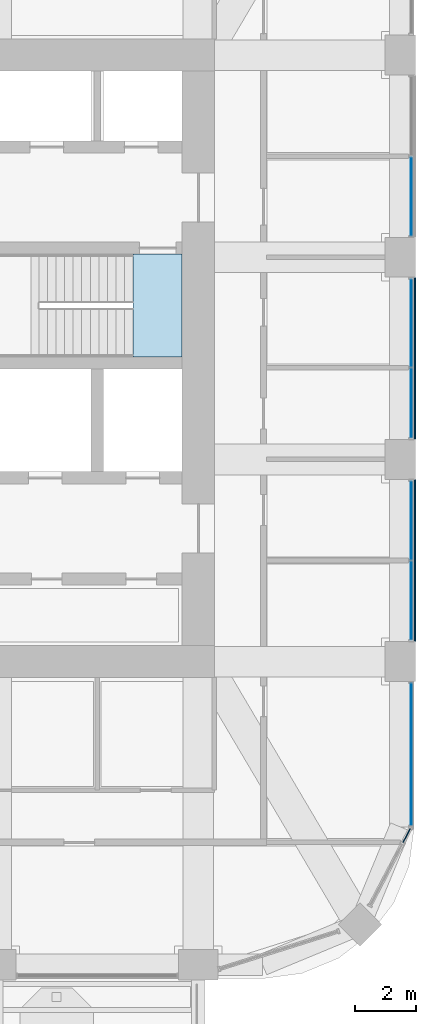
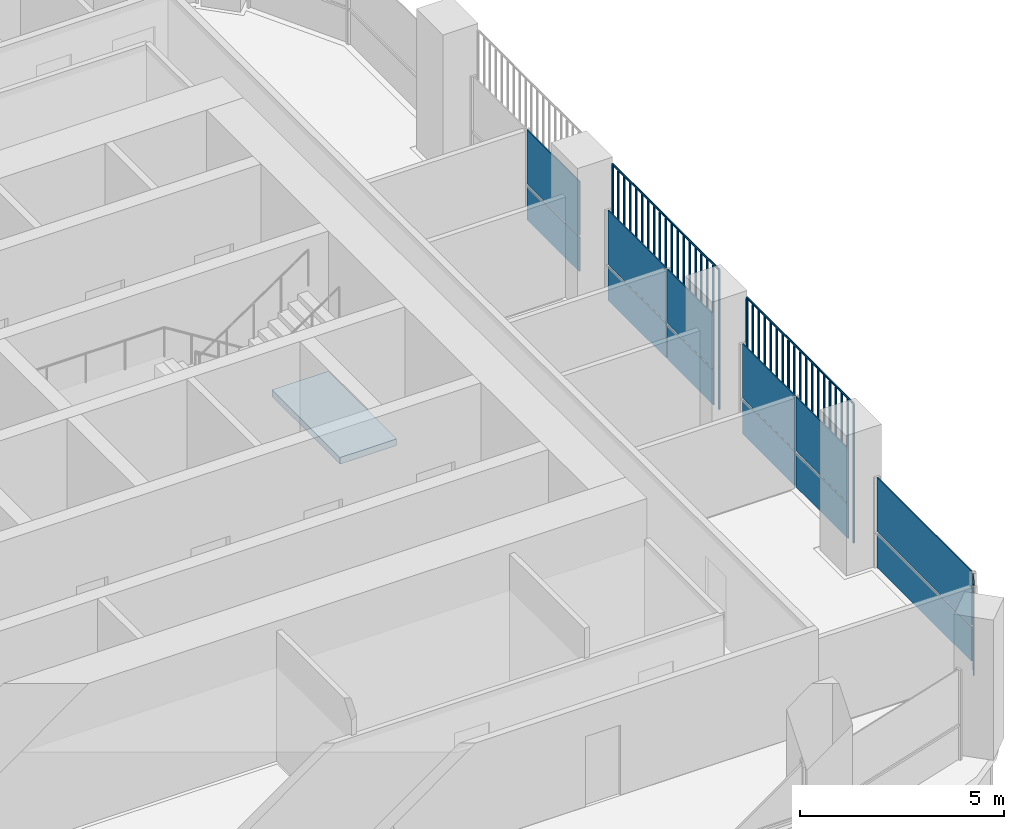
# One storey, part 11 of 21: 16 plates, 1 slab, 6 elements without a shape of their own.
"""IFC4 building model written with IfcOpenShell, lengths in metres."""

from ifc_helpers import new_model, si_unit, direction, frame, origin, origin_2d, place, context, subcontext, project, spatial, polyline, rectangle, outline, extrude, material, layer, layer_set, type_object, element, aggregate, save


model = new_model("IFC4")

# Units and contexts
model_context = context("Model", 3, precision=1e-05, world=origin(), true_north=direction((0.0, 1.0)))
body_context = subcontext(model_context, "Body", "Model", "MODEL_VIEW")
ifc_project = project(units=[si_unit("LENGTHUNIT", "METRE"), si_unit("AREAUNIT", "SQUARE_METRE"), si_unit("VOLUMEUNIT", "CUBIC_METRE"), si_unit("PLANEANGLEUNIT", "RADIAN"), si_unit("MASSUNIT", "GRAM", prefix="KILO")], contexts=[model_context])

# Site, building, storey
site_placement = place(None, origin())
site = spatial("IfcSite", under=ifc_project, at=site_placement, CompositionType="ELEMENT")
building_placement = place(site_placement, origin())
building = spatial("IfcBuilding", under=site, at=building_placement, Name="Cobogo Forest Laboratory Tower", CompositionType="ELEMENT")
storey_placement = place(building_placement, frame((0.0, 0.0, 250.199951171875)))
storey = spatial("IfcBuildingStorey", under=building, at=storey_placement, Name="L57", CompositionType="ELEMENT", Elevation=250.199951171875)

# Curtain wall, plates
ifc_material_1 = material(Name="Aluminium curtain wall", Category="aluminium")
curtain_wall_type = type_object("IfcCurtainWallType", Name="CW-2 unitised curtain wall, solar control glazing, laboratory floors zones C and D", PredefinedType="USERDEFINED", material=ifc_material_1)
curtain_wall_1_placement = place(storey_placement, origin())
curtain_wall_1 = element("IfcCurtainWall", 1, at=curtain_wall_1_placement, inside=storey, type_object=curtain_wall_type, Name="Curtain wall 06 L57", ObjectType="UNITISED CURTAIN WALL", PredefinedType="USERDEFINED")
ifc_material_2 = material(Name="Solar control insulated glass", Category="glass")
ifc_layer_1 = layer(ifc_material_2, 0.031982421875)
ifc_layer_set_1 = layer_set([ifc_layer_1], Name="GP-2 solar control glass unit 32")
plate_type_1 = type_object("IfcPlateType", Name="GP-2 solar control glass unit 32", PredefinedType="CURTAIN_PANEL", material=ifc_layer_set_1)
plate_1_placement = place(storey_placement, frame((46.40234375, 7.51806640625, 0.0), z_axis=(0.0, 0.0, 1.0), x_axis=(0.464283791352, 0.885686491422, 0.0)))
plate_1 = element("IfcPlate", 2, at=plate_1_placement, type_object=plate_type_1, Name="CW-2 panel 2.1", PredefinedType="CURTAIN_PANEL", context=body_context, shape_type="SweptSolid", body=[
    extrude(rectangle(XDim=0.516357421875, YDim=0.031982421875, at=origin_2d()), origin(), (0.0, 0.0, 1.0), 1.02001953125),
])
plate_2_placement = place(storey_placement, frame((46.40234375, 7.51806640625, 1.080078125), z_axis=(0.0, 0.0, 1.0), x_axis=(0.464283791352, 0.885686491422, 0.0)))
plate_2 = element("IfcPlate", 3, at=plate_2_placement, type_object=plate_type_1, Name="CW-2 panel 2.2", PredefinedType="CURTAIN_PANEL", context=body_context, shape_type="SweptSolid", body=[
    extrude(rectangle(XDim=0.516357421875, YDim=0.031982421875, at=origin_2d()), origin(), (0.0, 0.0, 1.0), 1.6201171875),
])
aggregate(curtain_wall_1, [plate_1, plate_2])

curtain_wall_2_placement = place(storey_placement, origin())
curtain_wall_2 = element("IfcCurtainWall", 4, at=curtain_wall_2_placement, inside=storey, type_object=curtain_wall_type, Name="Curtain wall 07 L57", ObjectType="UNITISED CURTAIN WALL", PredefinedType="USERDEFINED")
plate_3_placement = place(storey_placement, frame((46.550048828125, 10.175048828125, 0.0), z_axis=(0.0, 0.0, 1.0), x_axis=(0.0, 1.0, 0.0)))
plate_3 = element("IfcPlate", 5, at=plate_3_placement, type_object=plate_type_1, Name="CW-2 panel 1.1", PredefinedType="CURTAIN_PANEL", context=body_context, shape_type="SweptSolid", body=[
    extrude(rectangle(XDim=4.6298828125, YDim=0.031982421875, at=origin_2d()), origin(), (0.0, 0.0, 1.0), 1.02001953125),
])
plate_4_placement = place(storey_placement, frame((46.550048828125, 10.175048828125, 1.080078125), z_axis=(0.0, 0.0, 1.0), x_axis=(0.0, 1.0, 0.0)))
plate_4 = element("IfcPlate", 6, at=plate_4_placement, type_object=plate_type_1, Name="CW-2 panel 1.2", PredefinedType="CURTAIN_PANEL", context=body_context, shape_type="SweptSolid", body=[
    extrude(rectangle(XDim=4.6298828125, YDim=0.031982421875, at=origin_2d()), origin(), (0.0, 0.0, 1.0), 1.6201171875),
])
aggregate(curtain_wall_2, [plate_3, plate_4])

curtain_wall_3_placement = place(storey_placement, origin())
curtain_wall_3 = element("IfcCurtainWall", 7, at=curtain_wall_3_placement, inside=storey, type_object=curtain_wall_type, Name="Curtain wall 08 L57", ObjectType="UNITISED CURTAIN WALL", PredefinedType="USERDEFINED")
plate_5_placement = place(storey_placement, frame((46.550048828125, 15.18994140625, 0.0), z_axis=(0.0, 0.0, 1.0), x_axis=(0.0, 1.0, 0.0)))
plate_5 = element("IfcPlate", 8, at=plate_5_placement, type_object=plate_type_1, Name="CW-2 panel 1.1", PredefinedType="CURTAIN_PANEL", context=body_context, shape_type="SweptSolid", body=[
    extrude(rectangle(XDim=2.56005859375, YDim=0.031982421875, at=origin_2d()), origin(), (0.0, 0.0, 1.0), 1.02001953125),
])
plate_6_placement = place(storey_placement, frame((46.550048828125, 15.18994140625, 1.080078125), z_axis=(0.0, 0.0, 1.0), x_axis=(0.0, 1.0, 0.0)))
plate_6 = element("IfcPlate", 9, at=plate_6_placement, type_object=plate_type_1, Name="CW-2 panel 1.2", PredefinedType="CURTAIN_PANEL", context=body_context, shape_type="SweptSolid", body=[
    extrude(rectangle(XDim=2.56005859375, YDim=0.031982421875, at=origin_2d()), origin(), (0.0, 0.0, 1.0), 1.6201171875),
])
plate_7_placement = place(storey_placement, frame((46.550048828125, 17.81005859375, 0.0), z_axis=(0.0, 0.0, 1.0), x_axis=(0.0, 1.0, 0.0)))
plate_7 = element("IfcPlate", 10, at=plate_7_placement, type_object=plate_type_1, Name="CW-2 panel 2.1", PredefinedType="CURTAIN_PANEL", context=body_context, shape_type="SweptSolid", body=[
    extrude(rectangle(XDim=2.56005859375, YDim=0.031982421875, at=origin_2d()), origin(), (0.0, 0.0, 1.0), 1.02001953125),
])
plate_8_placement = place(storey_placement, frame((46.550048828125, 17.81005859375, 1.080078125), z_axis=(0.0, 0.0, 1.0), x_axis=(0.0, 1.0, 0.0)))
plate_8 = element("IfcPlate", 11, at=plate_8_placement, type_object=plate_type_1, Name="CW-2 panel 2.2", PredefinedType="CURTAIN_PANEL", context=body_context, shape_type="SweptSolid", body=[
    extrude(rectangle(XDim=2.56005859375, YDim=0.031982421875, at=origin_2d()), origin(), (0.0, 0.0, 1.0), 1.6201171875),
])
aggregate(curtain_wall_3, [plate_5, plate_6, plate_7, plate_8])

curtain_wall_4_placement = place(storey_placement, origin())
curtain_wall_4 = element("IfcCurtainWall", 12, at=curtain_wall_4_placement, inside=storey, type_object=curtain_wall_type, Name="Curtain wall 09 L57", ObjectType="UNITISED CURTAIN WALL", PredefinedType="USERDEFINED")
plate_9_placement = place(storey_placement, frame((46.550048828125, 21.639892578125, 0.0), z_axis=(0.0, 0.0, 1.0), x_axis=(0.0, 1.0, 0.0)))
plate_9 = element("IfcPlate", 13, at=plate_9_placement, type_object=plate_type_1, Name="CW-2 panel 1.1", PredefinedType="CURTAIN_PANEL", context=body_context, shape_type="SweptSolid", body=[
    extrude(rectangle(XDim=2.260009765625, YDim=0.031982421875, at=origin_2d()), origin(), (0.0, 0.0, 1.0), 1.02001953125),
])
plate_10_placement = place(storey_placement, frame((46.550048828125, 21.639892578125, 1.080078125), z_axis=(0.0, 0.0, 1.0), x_axis=(0.0, 1.0, 0.0)))
plate_10 = element("IfcPlate", 14, at=plate_10_placement, type_object=plate_type_1, Name="CW-2 panel 1.2", PredefinedType="CURTAIN_PANEL", context=body_context, shape_type="SweptSolid", body=[
    extrude(rectangle(XDim=2.260009765625, YDim=0.031982421875, at=origin_2d()), origin(), (0.0, 0.0, 1.0), 1.6201171875),
])
plate_11_placement = place(storey_placement, frame((46.550048828125, 24.260009765625, 0.0), z_axis=(0.0, 0.0, 1.0), x_axis=(0.0, 1.0, 0.0)))
plate_11 = element("IfcPlate", 15, at=plate_11_placement, type_object=plate_type_1, Name="CW-2 panel 2.1", PredefinedType="CURTAIN_PANEL", context=body_context, shape_type="SweptSolid", body=[
    extrude(rectangle(XDim=2.860107421875, YDim=0.031982421875, at=origin_2d()), origin(), (0.0, 0.0, 1.0), 1.02001953125),
])
plate_12_placement = place(storey_placement, frame((46.550048828125, 24.260009765625, 1.080078125), z_axis=(0.0, 0.0, 1.0), x_axis=(0.0, 1.0, 0.0)))
plate_12 = element("IfcPlate", 16, at=plate_12_placement, type_object=plate_type_1, Name="CW-2 panel 2.2", PredefinedType="CURTAIN_PANEL", context=body_context, shape_type="SweptSolid", body=[
    extrude(rectangle(XDim=2.860107421875, YDim=0.031982421875, at=origin_2d()), origin(), (0.0, 0.0, 1.0), 1.6201171875),
])
aggregate(curtain_wall_4, [plate_9, plate_10, plate_11, plate_12])

curtain_wall_5_placement = place(storey_placement, origin())
curtain_wall_5 = element("IfcCurtainWall", 17, at=curtain_wall_5_placement, inside=storey, type_object=curtain_wall_type, Name="Curtain wall 10 L57", ObjectType="UNITISED CURTAIN WALL", PredefinedType="USERDEFINED")
plate_13_placement = place(storey_placement, frame((46.550048828125, 28.389892578125, 0.0), z_axis=(0.0, 0.0, 1.0), x_axis=(0.0, 1.0, 0.0)))
plate_13 = element("IfcPlate", 18, at=plate_13_placement, type_object=plate_type_1, Name="CW-2 panel 1.1", PredefinedType="CURTAIN_PANEL", context=body_context, shape_type="SweptSolid", body=[
    extrude(rectangle(XDim=2.56005859375, YDim=0.031982421875, at=origin_2d()), origin(), (0.0, 0.0, 1.0), 1.02001953125),
])
plate_14_placement = place(storey_placement, frame((46.550048828125, 28.389892578125, 1.080078125), z_axis=(0.0, 0.0, 1.0), x_axis=(0.0, 1.0, 0.0)))
plate_14 = element("IfcPlate", 19, at=plate_14_placement, type_object=plate_type_1, Name="CW-2 panel 1.2", PredefinedType="CURTAIN_PANEL", context=body_context, shape_type="SweptSolid", body=[
    extrude(rectangle(XDim=2.56005859375, YDim=0.031982421875, at=origin_2d()), origin(), (0.0, 0.0, 1.0), 1.6201171875),
])
aggregate(curtain_wall_5, [plate_13, plate_14])

# Stair, slab
ifc_material_3 = material(Name="Precast concrete HA-40 (C40/50)", Category="concrete")
stair_type = type_object("IfcStairType", Name="ST24 exit stair 24 risers", PredefinedType="HALF_TURN_STAIR", material=ifc_material_3)
stair_placement = place(storey_placement, origin())
stair = element("IfcStair", 20, at=stair_placement, inside=storey, type_object=stair_type, Name="Stair 2 L57 to L58", PredefinedType="HALF_TURN_STAIR")
ifc_material_4 = material(Name="Concrete HA-40 (C40/50)", Category="concrete")
ifc_layer_2 = layer(ifc_material_4, 0.199951171875)
ifc_layer_set_2 = layer_set([ifc_layer_2], Name="SL stair landing 200")
slab_type = type_object("IfcSlabType", Name="SL stair landing 200", PredefinedType="LANDING", material=ifc_layer_set_2)
slab_placement = place(storey_placement, frame((0.0, 0.0, -0.199951171875)))
slab = element("IfcSlab", 21, at=slab_placement, type_object=slab_type, Name="ST2 landing 1", PredefinedType="LANDING", context=body_context, shape_type="SweptSolid", body=[
    extrude(outline(polyline([(37.472900390625, 23.14990234375), (39.074951171875, 23.14990234375), (39.074951171875, 26.5), (37.472900390625, 26.5), (37.472900390625, 23.14990234375)])), origin(), (0.0, 0.0, 1.0), 0.199951171875),
])
aggregate(stair, [slab])

# Plates
ifc_material_5 = material(Name="Terracotta", Category="masonry")
plate_type_2 = type_object("IfcPlateType", Name="TB1 terracotta baguette screen", PredefinedType="USERDEFINED", material=ifc_material_5)
plate_15_placement = place(storey_placement, frame((46.677978515625, 13.88134765625, -0.14990234375)))
element("IfcPlate", 22, at=plate_15_placement, inside=storey, type_object=plate_type_2, Name="Baguette screen E1 L57", ObjectType="BAGUETTE SCREEN", PredefinedType="USERDEFINED", context=body_context, shape_type="SweptSolid", body=[
    extrude(outline(polyline([(0.02880859375, 0.011962890625), (0.011962890625, 0.02880859375), (-0.011962890625, 0.02880859375), (-0.02880859375, 0.011962890625), (-0.02880859375, -0.011962890625), (-0.011962890625, -0.02880859375), (0.011962890625, -0.02880859375), (0.02880859375, -0.011962890625), (0.02880859375, 0.011962890625)])), frame((0.0, 0.0, 4.168701171875), z_axis=(0.0, 1.0, 0.0), x_axis=(-1.0, 0.0, 0.0)), (0.0, 0.0, 1.0), 5.2373046875),
    extrude(outline(polyline([(0.02880859375, 0.011962890625), (0.011962890625, 0.02880859375), (-0.011962890625, 0.02880859375), (-0.02880859375, 0.011962890625), (-0.02880859375, -0.011962890625), (-0.011962890625, -0.02880859375), (0.011962890625, -0.02880859375), (0.02880859375, -0.011962890625), (0.02880859375, 0.011962890625)])), origin(), (0.0, 0.0, 1.0), 4.137451171875),
    extrude(outline(polyline([(0.02880859375, 0.011962890625), (0.011962890625, 0.02880859375), (-0.011962890625, 0.02880859375), (-0.02880859375, 0.011962890625), (-0.02880859375, -0.011962890625), (-0.011962890625, -0.02880859375), (0.011962890625, -0.02880859375), (0.02880859375, -0.011962890625), (0.02880859375, 0.011962890625)])), frame((0.0, 0.291015625, 0.0)), (0.0, 0.0, 1.0), 4.137451171875),
    extrude(outline(polyline([(0.02880859375, 0.011962890625), (0.011962890625, 0.02880859375), (-0.011962890625, 0.02880859375), (-0.02880859375, 0.011962890625), (-0.02880859375, -0.011962890625), (-0.011962890625, -0.02880859375), (0.011962890625, -0.02880859375), (0.02880859375, -0.011962890625), (0.02880859375, 0.011962890625)])), frame((0.0, 0.58203125, 0.0)), (0.0, 0.0, 1.0), 4.137451171875),
    extrude(outline(polyline([(0.02880859375, 0.011962890625), (0.011962890625, 0.02880859375), (-0.011962890625, 0.02880859375), (-0.02880859375, 0.011962890625), (-0.02880859375, -0.011962890625), (-0.011962890625, -0.02880859375), (0.011962890625, -0.02880859375), (0.02880859375, -0.011962890625), (0.02880859375, 0.011962890625)])), frame((0.0, 0.872802734375, 0.0)), (0.0, 0.0, 1.0), 4.137451171875),
    extrude(outline(polyline([(0.02880859375, 0.011962890625), (0.011962890625, 0.02880859375), (-0.011962890625, 0.02880859375), (-0.02880859375, 0.011962890625), (-0.02880859375, -0.011962890625), (-0.011962890625, -0.02880859375), (0.011962890625, -0.02880859375), (0.02880859375, -0.011962890625), (0.02880859375, 0.011962890625)])), frame((0.0, 1.163818359375, 0.0)), (0.0, 0.0, 1.0), 4.137451171875),
    extrude(outline(polyline([(0.02880859375, 0.011962890625), (0.011962890625, 0.02880859375), (-0.011962890625, 0.02880859375), (-0.02880859375, 0.011962890625), (-0.02880859375, -0.011962890625), (-0.011962890625, -0.02880859375), (0.011962890625, -0.02880859375), (0.02880859375, -0.011962890625), (0.02880859375, 0.011962890625)])), frame((0.0, 1.454833984375, 0.0)), (0.0, 0.0, 1.0), 4.137451171875),
    extrude(outline(polyline([(0.02880859375, 0.011962890625), (0.011962890625, 0.02880859375), (-0.011962890625, 0.02880859375), (-0.02880859375, 0.011962890625), (-0.02880859375, -0.011962890625), (-0.011962890625, -0.02880859375), (0.011962890625, -0.02880859375), (0.02880859375, -0.011962890625), (0.02880859375, 0.011962890625)])), frame((0.0, 1.745849609375, 0.0)), (0.0, 0.0, 1.0), 4.137451171875),
    extrude(outline(polyline([(0.02880859375, 0.011962890625), (0.011962890625, 0.02880859375), (-0.011962890625, 0.02880859375), (-0.02880859375, 0.011962890625), (-0.02880859375, -0.011962890625), (-0.011962890625, -0.02880859375), (0.011962890625, -0.02880859375), (0.02880859375, -0.011962890625), (0.02880859375, 0.011962890625)])), frame((0.0, 2.03662109375, 0.0)), (0.0, 0.0, 1.0), 4.137451171875),
    extrude(outline(polyline([(0.02880859375, 0.011962890625), (0.011962890625, 0.02880859375), (-0.011962890625, 0.02880859375), (-0.02880859375, 0.011962890625), (-0.02880859375, -0.011962890625), (-0.011962890625, -0.02880859375), (0.011962890625, -0.02880859375), (0.02880859375, -0.011962890625), (0.02880859375, 0.011962890625)])), frame((0.0, 2.32763671875, 0.0)), (0.0, 0.0, 1.0), 4.137451171875),
    extrude(outline(polyline([(0.02880859375, 0.011962890625), (0.011962890625, 0.02880859375), (-0.011962890625, 0.02880859375), (-0.02880859375, 0.011962890625), (-0.02880859375, -0.011962890625), (-0.011962890625, -0.02880859375), (0.011962890625, -0.02880859375), (0.02880859375, -0.011962890625), (0.02880859375, 0.011962890625)])), frame((0.0, 2.61865234375, 0.0)), (0.0, 0.0, 1.0), 4.137451171875),
    extrude(outline(polyline([(0.02880859375, 0.011962890625), (0.011962890625, 0.02880859375), (-0.011962890625, 0.02880859375), (-0.02880859375, 0.011962890625), (-0.02880859375, -0.011962890625), (-0.011962890625, -0.02880859375), (0.011962890625, -0.02880859375), (0.02880859375, -0.011962890625), (0.02880859375, 0.011962890625)])), frame((0.0, 2.90966796875, 0.0)), (0.0, 0.0, 1.0), 4.137451171875),
    extrude(outline(polyline([(0.02880859375, 0.011962890625), (0.011962890625, 0.02880859375), (-0.011962890625, 0.02880859375), (-0.02880859375, 0.011962890625), (-0.02880859375, -0.011962890625), (-0.011962890625, -0.02880859375), (0.011962890625, -0.02880859375), (0.02880859375, -0.011962890625), (0.02880859375, 0.011962890625)])), frame((0.0, 3.20068359375, 0.0)), (0.0, 0.0, 1.0), 4.137451171875),
    extrude(outline(polyline([(0.02880859375, 0.011962890625), (0.011962890625, 0.02880859375), (-0.011962890625, 0.02880859375), (-0.02880859375, 0.011962890625), (-0.02880859375, -0.011962890625), (-0.011962890625, -0.02880859375), (0.011962890625, -0.02880859375), (0.02880859375, -0.011962890625), (0.02880859375, 0.011962890625)])), frame((0.0, 3.491455078125, 0.0)), (0.0, 0.0, 1.0), 4.137451171875),
    extrude(outline(polyline([(0.02880859375, 0.011962890625), (0.011962890625, 0.02880859375), (-0.011962890625, 0.02880859375), (-0.02880859375, 0.011962890625), (-0.02880859375, -0.011962890625), (-0.011962890625, -0.02880859375), (0.011962890625, -0.02880859375), (0.02880859375, -0.011962890625), (0.02880859375, 0.011962890625)])), frame((0.0, 3.782470703125, 0.0)), (0.0, 0.0, 1.0), 4.137451171875),
    extrude(outline(polyline([(0.02880859375, 0.011962890625), (0.011962890625, 0.02880859375), (-0.011962890625, 0.02880859375), (-0.02880859375, 0.011962890625), (-0.02880859375, -0.011962890625), (-0.011962890625, -0.02880859375), (0.011962890625, -0.02880859375), (0.02880859375, -0.011962890625), (0.02880859375, 0.011962890625)])), frame((0.0, 4.073486328125, 0.0)), (0.0, 0.0, 1.0), 4.137451171875),
    extrude(outline(polyline([(0.02880859375, 0.011962890625), (0.011962890625, 0.02880859375), (-0.011962890625, 0.02880859375), (-0.02880859375, 0.011962890625), (-0.02880859375, -0.011962890625), (-0.011962890625, -0.02880859375), (0.011962890625, -0.02880859375), (0.02880859375, -0.011962890625), (0.02880859375, 0.011962890625)])), frame((0.0, 4.364501953125, 0.0)), (0.0, 0.0, 1.0), 4.137451171875),
    extrude(outline(polyline([(0.02880859375, 0.011962890625), (0.011962890625, 0.02880859375), (-0.011962890625, 0.02880859375), (-0.02880859375, 0.011962890625), (-0.02880859375, -0.011962890625), (-0.011962890625, -0.02880859375), (0.011962890625, -0.02880859375), (0.02880859375, -0.011962890625), (0.02880859375, 0.011962890625)])), frame((0.0, 4.6552734375, 0.0)), (0.0, 0.0, 1.0), 4.137451171875),
    extrude(outline(polyline([(0.02880859375, 0.011962890625), (0.011962890625, 0.02880859375), (-0.011962890625, 0.02880859375), (-0.02880859375, 0.011962890625), (-0.02880859375, -0.011962890625), (-0.011962890625, -0.02880859375), (0.011962890625, -0.02880859375), (0.02880859375, -0.011962890625), (0.02880859375, 0.011962890625)])), frame((0.0, 4.9462890625, 0.0)), (0.0, 0.0, 1.0), 4.137451171875),
    extrude(outline(polyline([(0.02880859375, 0.011962890625), (0.011962890625, 0.02880859375), (-0.011962890625, 0.02880859375), (-0.02880859375, 0.011962890625), (-0.02880859375, -0.011962890625), (-0.011962890625, -0.02880859375), (0.011962890625, -0.02880859375), (0.02880859375, -0.011962890625), (0.02880859375, 0.011962890625)])), frame((0.0, 5.2373046875, 0.0)), (0.0, 0.0, 1.0), 4.137451171875),
])
plate_16_placement = place(storey_placement, frame((46.677978515625, 20.481201171875, -0.14990234375)))
element("IfcPlate", 23, at=plate_16_placement, inside=storey, type_object=plate_type_2, Name="Baguette screen E2 L57", ObjectType="BAGUETTE SCREEN", PredefinedType="USERDEFINED", context=body_context, shape_type="SweptSolid", body=[
    extrude(outline(polyline([(0.02880859375, 0.011962890625), (0.011962890625, 0.02880859375), (-0.011962890625, 0.02880859375), (-0.02880859375, 0.011962890625), (-0.02880859375, -0.011962890625), (-0.011962890625, -0.02880859375), (0.011962890625, -0.02880859375), (0.02880859375, -0.011962890625), (0.02880859375, 0.011962890625)])), frame((0.0, 0.0, 4.168701171875), z_axis=(0.0, 1.0, 0.0), x_axis=(-1.0, 0.0, 0.0)), (0.0, 0.0, 1.0), 5.237548828125),
    extrude(outline(polyline([(0.02880859375, 0.011962890625), (0.011962890625, 0.02880859375), (-0.011962890625, 0.02880859375), (-0.02880859375, 0.011962890625), (-0.02880859375, -0.011962890625), (-0.011962890625, -0.02880859375), (0.011962890625, -0.02880859375), (0.02880859375, -0.011962890625), (0.02880859375, 0.011962890625)])), origin(), (0.0, 0.0, 1.0), 4.137451171875),
    extrude(outline(polyline([(0.02880859375, 0.011962890625), (0.011962890625, 0.02880859375), (-0.011962890625, 0.02880859375), (-0.02880859375, 0.011962890625), (-0.02880859375, -0.011962890625), (-0.011962890625, -0.02880859375), (0.011962890625, -0.02880859375), (0.02880859375, -0.011962890625), (0.02880859375, 0.011962890625)])), frame((0.0, 0.291015625, 0.0)), (0.0, 0.0, 1.0), 4.137451171875),
    extrude(outline(polyline([(0.02880859375, 0.011962890625), (0.011962890625, 0.02880859375), (-0.011962890625, 0.02880859375), (-0.02880859375, 0.011962890625), (-0.02880859375, -0.011962890625), (-0.011962890625, -0.02880859375), (0.011962890625, -0.02880859375), (0.02880859375, -0.011962890625), (0.02880859375, 0.011962890625)])), frame((0.0, 0.58203125, 0.0)), (0.0, 0.0, 1.0), 4.137451171875),
    extrude(outline(polyline([(0.02880859375, 0.011962890625), (0.011962890625, 0.02880859375), (-0.011962890625, 0.02880859375), (-0.02880859375, 0.011962890625), (-0.02880859375, -0.011962890625), (-0.011962890625, -0.02880859375), (0.011962890625, -0.02880859375), (0.02880859375, -0.011962890625), (0.02880859375, 0.011962890625)])), frame((0.0, 0.873046875, 0.0)), (0.0, 0.0, 1.0), 4.137451171875),
    extrude(outline(polyline([(0.02880859375, 0.011962890625), (0.011962890625, 0.02880859375), (-0.011962890625, 0.02880859375), (-0.02880859375, 0.011962890625), (-0.02880859375, -0.011962890625), (-0.011962890625, -0.02880859375), (0.011962890625, -0.02880859375), (0.02880859375, -0.011962890625), (0.02880859375, 0.011962890625)])), frame((0.0, 1.163818359375, 0.0)), (0.0, 0.0, 1.0), 4.137451171875),
    extrude(outline(polyline([(0.02880859375, 0.011962890625), (0.011962890625, 0.02880859375), (-0.011962890625, 0.02880859375), (-0.02880859375, 0.011962890625), (-0.02880859375, -0.011962890625), (-0.011962890625, -0.02880859375), (0.011962890625, -0.02880859375), (0.02880859375, -0.011962890625), (0.02880859375, 0.011962890625)])), frame((0.0, 1.454833984375, 0.0)), (0.0, 0.0, 1.0), 4.137451171875),
    extrude(outline(polyline([(0.02880859375, 0.011962890625), (0.011962890625, 0.02880859375), (-0.011962890625, 0.02880859375), (-0.02880859375, 0.011962890625), (-0.02880859375, -0.011962890625), (-0.011962890625, -0.02880859375), (0.011962890625, -0.02880859375), (0.02880859375, -0.011962890625), (0.02880859375, 0.011962890625)])), frame((0.0, 1.745849609375, 0.0)), (0.0, 0.0, 1.0), 4.137451171875),
    extrude(outline(polyline([(0.02880859375, 0.011962890625), (0.011962890625, 0.02880859375), (-0.011962890625, 0.02880859375), (-0.02880859375, 0.011962890625), (-0.02880859375, -0.011962890625), (-0.011962890625, -0.02880859375), (0.011962890625, -0.02880859375), (0.02880859375, -0.011962890625), (0.02880859375, 0.011962890625)])), frame((0.0, 2.036865234375, 0.0)), (0.0, 0.0, 1.0), 4.137451171875),
    extrude(outline(polyline([(0.02880859375, 0.011962890625), (0.011962890625, 0.02880859375), (-0.011962890625, 0.02880859375), (-0.02880859375, 0.011962890625), (-0.02880859375, -0.011962890625), (-0.011962890625, -0.02880859375), (0.011962890625, -0.02880859375), (0.02880859375, -0.011962890625), (0.02880859375, 0.011962890625)])), frame((0.0, 2.327880859375, 0.0)), (0.0, 0.0, 1.0), 4.137451171875),
    extrude(outline(polyline([(0.02880859375, 0.011962890625), (0.011962890625, 0.02880859375), (-0.011962890625, 0.02880859375), (-0.02880859375, 0.011962890625), (-0.02880859375, -0.011962890625), (-0.011962890625, -0.02880859375), (0.011962890625, -0.02880859375), (0.02880859375, -0.011962890625), (0.02880859375, 0.011962890625)])), frame((0.0, 2.61865234375, 0.0)), (0.0, 0.0, 1.0), 4.137451171875),
    extrude(outline(polyline([(0.02880859375, 0.011962890625), (0.011962890625, 0.02880859375), (-0.011962890625, 0.02880859375), (-0.02880859375, 0.011962890625), (-0.02880859375, -0.011962890625), (-0.011962890625, -0.02880859375), (0.011962890625, -0.02880859375), (0.02880859375, -0.011962890625), (0.02880859375, 0.011962890625)])), frame((0.0, 2.90966796875, 0.0)), (0.0, 0.0, 1.0), 4.137451171875),
    extrude(outline(polyline([(0.02880859375, 0.011962890625), (0.011962890625, 0.02880859375), (-0.011962890625, 0.02880859375), (-0.02880859375, 0.011962890625), (-0.02880859375, -0.011962890625), (-0.011962890625, -0.02880859375), (0.011962890625, -0.02880859375), (0.02880859375, -0.011962890625), (0.02880859375, 0.011962890625)])), frame((0.0, 3.20068359375, 0.0)), (0.0, 0.0, 1.0), 4.137451171875),
    extrude(outline(polyline([(0.02880859375, 0.011962890625), (0.011962890625, 0.02880859375), (-0.011962890625, 0.02880859375), (-0.02880859375, 0.011962890625), (-0.02880859375, -0.011962890625), (-0.011962890625, -0.02880859375), (0.011962890625, -0.02880859375), (0.02880859375, -0.011962890625), (0.02880859375, 0.011962890625)])), frame((0.0, 3.49169921875, 0.0)), (0.0, 0.0, 1.0), 4.137451171875),
    extrude(outline(polyline([(0.02880859375, 0.011962890625), (0.011962890625, 0.02880859375), (-0.011962890625, 0.02880859375), (-0.02880859375, 0.011962890625), (-0.02880859375, -0.011962890625), (-0.011962890625, -0.02880859375), (0.011962890625, -0.02880859375), (0.02880859375, -0.011962890625), (0.02880859375, 0.011962890625)])), frame((0.0, 3.78271484375, 0.0)), (0.0, 0.0, 1.0), 4.137451171875),
    extrude(outline(polyline([(0.02880859375, 0.011962890625), (0.011962890625, 0.02880859375), (-0.011962890625, 0.02880859375), (-0.02880859375, 0.011962890625), (-0.02880859375, -0.011962890625), (-0.011962890625, -0.02880859375), (0.011962890625, -0.02880859375), (0.02880859375, -0.011962890625), (0.02880859375, 0.011962890625)])), frame((0.0, 4.07373046875, 0.0)), (0.0, 0.0, 1.0), 4.137451171875),
    extrude(outline(polyline([(0.02880859375, 0.011962890625), (0.011962890625, 0.02880859375), (-0.011962890625, 0.02880859375), (-0.02880859375, 0.011962890625), (-0.02880859375, -0.011962890625), (-0.011962890625, -0.02880859375), (0.011962890625, -0.02880859375), (0.02880859375, -0.011962890625), (0.02880859375, 0.011962890625)])), frame((0.0, 4.36474609375, 0.0)), (0.0, 0.0, 1.0), 4.137451171875),
    extrude(outline(polyline([(0.02880859375, 0.011962890625), (0.011962890625, 0.02880859375), (-0.011962890625, 0.02880859375), (-0.02880859375, 0.011962890625), (-0.02880859375, -0.011962890625), (-0.011962890625, -0.02880859375), (0.011962890625, -0.02880859375), (0.02880859375, -0.011962890625), (0.02880859375, 0.011962890625)])), frame((0.0, 4.655517578125, 0.0)), (0.0, 0.0, 1.0), 4.137451171875),
    extrude(outline(polyline([(0.02880859375, 0.011962890625), (0.011962890625, 0.02880859375), (-0.011962890625, 0.02880859375), (-0.02880859375, 0.011962890625), (-0.02880859375, -0.011962890625), (-0.011962890625, -0.02880859375), (0.011962890625, -0.02880859375), (0.02880859375, -0.011962890625), (0.02880859375, 0.011962890625)])), frame((0.0, 4.946533203125, 0.0)), (0.0, 0.0, 1.0), 4.137451171875),
    extrude(outline(polyline([(0.02880859375, 0.011962890625), (0.011962890625, 0.02880859375), (-0.011962890625, 0.02880859375), (-0.02880859375, 0.011962890625), (-0.02880859375, -0.011962890625), (-0.011962890625, -0.02880859375), (0.011962890625, -0.02880859375), (0.02880859375, -0.011962890625), (0.02880859375, 0.011962890625)])), frame((0.0, 5.237548828125, 0.0)), (0.0, 0.0, 1.0), 4.137451171875),
])

save(model, "model.ifc")
